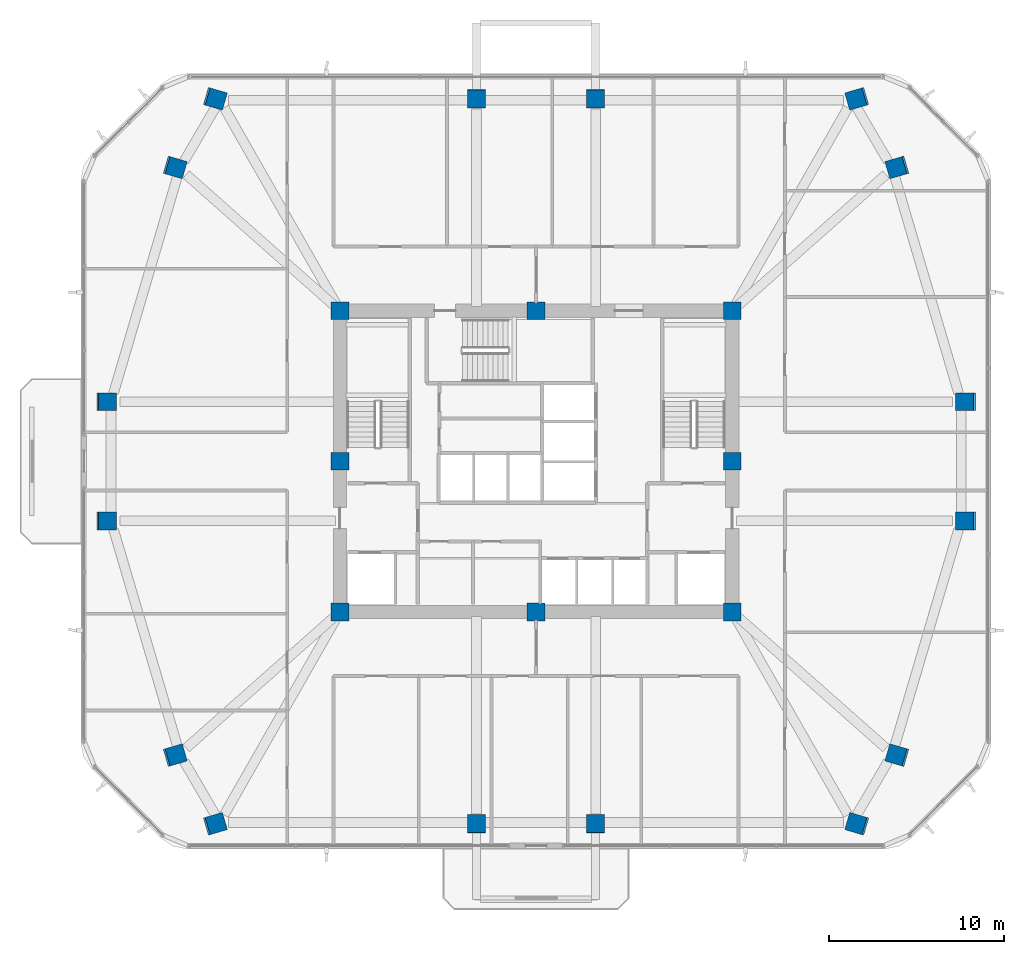
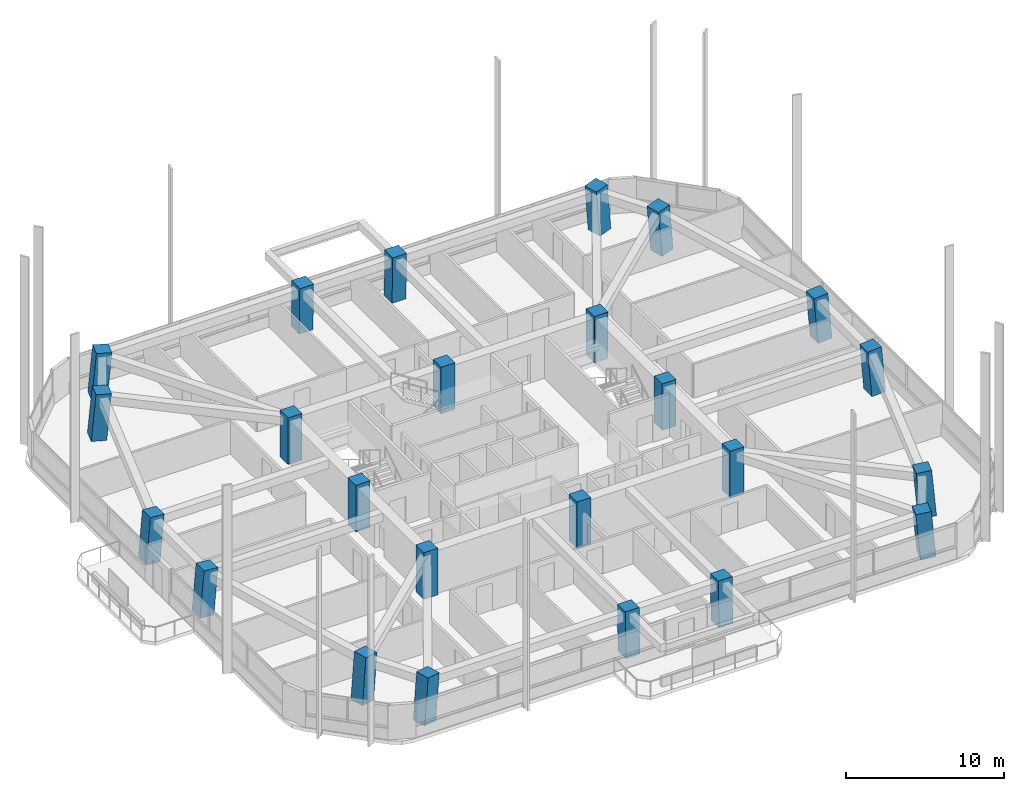
# One storey, part 1 of 15: 24 columns.
"""IFC4 building model written with IfcOpenShell, lengths in metres."""

import ifcopenshell
import ifcopenshell.guid

model = None  # the IFC model being written
_history = None  # IfcOwnerHistory: only IFC2X3 demands one
_inside = {}  # id of a spatial element -> (the spatial element, [elements in it])
_under = {}  # id of a project, library or spatial element -> (it, [spatial elements below it])
_declared = {}  # id of a project -> (the project, [libraries it declares])
_typed = {}  # id of a type object -> (the type object, [elements of that type])
_made_of = {}  # id of a material, layer set ... -> (it, [elements and type objects made of it])


def new_model(schema):
    """Start an empty IFC model of exactly this schema.

    Asked for "IFC4X3", IfcOpenShell would pick the latest addendum, in which some entities
    have other attributes; the version numbers below select the first issue.
    IFC2X3 requires an IfcOwnerHistory on every rooted entity: one is made here for all.
    """
    global model, _history
    if schema == "IFC4X3":
        model = ifcopenshell.file(schema_version=(4, 3, 0, 0))
    else:
        model = ifcopenshell.file(schema=schema)
    _inside.clear()
    _under.clear()
    _declared.clear()
    _typed.clear()
    _made_of.clear()
    _history = None
    if model.schema == "IFC2X3":
        org = make("IfcOrganization", Name="unknown")
        user = make(
            "IfcPersonAndOrganization",
            ThePerson=make("IfcPerson", FamilyName="unknown"),
            TheOrganization=org,
        )
        app = make(
            "IfcApplication",
            ApplicationDeveloper=org,
            Version="unknown",
            ApplicationFullName="unknown",
            ApplicationIdentifier="unknown",
        )
        _history = make(
            "IfcOwnerHistory",
            OwningUser=user,
            OwningApplication=app,
            ChangeAction="ADDED",
            CreationDate=0,
        )
    return model


def make(cls, **values):
    """One entity of the class cls with the attributes given. An attribute that is None is left unset."""
    return model.create_entity(
        cls, **{name: value for name, value in values.items() if value is not None}
    )


def rooted(cls, **values):
    """An entity with a GlobalId (a new one), such as an element, a storey or a relation."""
    return make(cls, GlobalId=ifcopenshell.guid.new(), OwnerHistory=_history, **values)


def si_unit(unit_type, name, prefix=None):
    """IfcSIUnit, for example si_unit("LENGTHUNIT", "METRE", prefix="MILLI")."""
    return make("IfcSIUnit", UnitType=unit_type, Prefix=prefix, Name=name)


def derived_unit(unit_type, elements):
    """IfcDerivedUnit: a product of units, each with its exponent."""
    return make(
        "IfcDerivedUnit",
        Elements=[
            make("IfcDerivedUnitElement", Unit=unit, Exponent=power)
            for unit, power in elements
        ],
        UnitType=unit_type,
    )


def assignment(units):
    """IfcUnitAssignment: the units of a project."""
    return None if units is None else make("IfcUnitAssignment", Units=units)


def point(xyz):
    """IfcCartesianPoint."""
    return None if xyz is None else make("IfcCartesianPoint", Coordinates=xyz)


def direction(xyz):
    """IfcDirection."""
    return None if xyz is None else make("IfcDirection", DirectionRatios=xyz)


def frame(location, z_axis=None, x_axis=None):
    """IfcAxis2Placement3D, a coordinate frame: its origin and axes. An axis left out is left unset."""
    return make(
        "IfcAxis2Placement3D",
        Location=point(location),
        Axis=direction(z_axis),
        RefDirection=direction(x_axis),
    )


def frame_2d(location, x_axis=None):
    """IfcAxis2Placement2D, a coordinate frame in the plane: its origin and x axis."""
    return make(
        "IfcAxis2Placement2D", Location=point(location), RefDirection=direction(x_axis)
    )


def origin():
    """The frame at (0, 0, 0) with its axes left unset."""
    return frame((0.0, 0.0, 0.0))


def origin_2d():
    """The frame at (0, 0) in the plane with its x axis left unset."""
    return frame_2d((0.0, 0.0))


def place(relative_to, where):
    """IfcLocalPlacement: puts the frame where relative to a parent placement (None: the world)."""
    return make(
        "IfcLocalPlacement", PlacementRelTo=relative_to, RelativePlacement=where
    )


def context(
    kind, dimensions, precision=None, world=None, true_north=None, identifier=None
):
    """IfcGeometricRepresentationContext, for example the 3D "Model" context."""
    return make(
        "IfcGeometricRepresentationContext",
        ContextIdentifier=identifier,
        ContextType=kind,
        CoordinateSpaceDimension=dimensions,
        Precision=precision,
        WorldCoordinateSystem=world,
        TrueNorth=true_north,
    )


def subcontext(parent, identifier, kind, view, scale=None):
    """IfcGeometricRepresentationSubContext, for example "Body" below "Model"."""
    return make(
        "IfcGeometricRepresentationSubContext",
        ContextIdentifier=identifier,
        ContextType=kind,
        ParentContext=parent,
        TargetScale=scale,
        TargetView=view,
    )


def project(units=None, contexts=None):
    """IfcProject with its units and contexts."""
    return rooted(
        "IfcProject",
        Name="project",
        RepresentationContexts=contexts,
        UnitsInContext=assignment(units),
    )


def spatial(cls, under=None, at=None, **own):
    """A site, building, storey or space (cls), placed at a placement, below another one or the project."""
    s = rooted(cls, ObjectPlacement=at, **own)
    if under is not None:
        _under.setdefault(under.id(), (under, []))[1].append(s)
    return s


def profile(cls, at=None, kind="AREA", **sizes):
    """A parametric profile (cls). Its sizes go by their IFC names, for example OverallWidth=200.0."""
    return make(cls, ProfileType=kind, Position=at, **sizes)


def rectangle(**sizes):
    """IfcRectangleProfileDef."""
    return profile("IfcRectangleProfileDef", **sizes)


def extrude(swept, where, along, depth):
    """IfcExtrudedAreaSolid: the profile swept, set in the frame where, extruded along a direction by depth."""
    return make(
        "IfcExtrudedAreaSolid",
        SweptArea=swept,
        Position=where,
        ExtrudedDirection=direction(along),
        Depth=depth,
    )


def shape(context_of_items, identifier, shape_type, items):
    """IfcShapeRepresentation: the items that make up one representation, for example the "Body"."""
    return make(
        "IfcShapeRepresentation",
        ContextOfItems=context_of_items,
        RepresentationIdentifier=identifier,
        RepresentationType=shape_type,
        Items=items,
    )


def material(Name=None, Category=None):
    """IfcMaterial."""
    return make("IfcMaterial", Name=Name, Category=Category)


def material_profile(
    of_material, cross_section, Name=None, Category=None, Priority=None
):
    """IfcMaterialProfile: a cross section and its material."""
    return make(
        "IfcMaterialProfile",
        Name=Name,
        Material=of_material,
        Profile=cross_section,
        Priority=Priority,
        Category=Category,
    )


def profile_set(profiles, Name=None, composite=None):
    """IfcMaterialProfileSet."""
    return make(
        "IfcMaterialProfileSet",
        Name=Name,
        MaterialProfiles=profiles,
        CompositeProfile=composite,
    )


def made_of(thing, what):
    """Note that an element or type object is made of a material, layer set ...; save() writes the relation."""
    if what is not None:
        _made_of.setdefault(what.id(), (what, []))[1].append(thing)
    return thing


def type_object(cls, material=None, **own):
    """A type object (cls), such as IfcWallType, which elements share."""
    return made_of(rooted(cls, **own), material)


def element(
    cls,
    number,
    at=None,
    inside=None,
    cuts=None,
    type_object=None,
    material=None,
    context=None,
    identifier="Body",
    shape_type=None,
    held_by="IfcProductDefinitionShape",
    body=None,
    shapes=None,
    **own,
):
    """One element of the class cls, such as IfcWall. Its Tag is "e" and its number.

    at: its placement. inside: the storey or other place that contains it. cuts: it is an
    opening in that element (IfcRelVoidsElement). A single representation is given by context,
    identifier, shape_type and body (its items); several are given by shapes. held_by: the class
    of the entity that holds the representations. save() writes the other relations.
    """
    e = rooted(cls, Tag="e%d" % number, ObjectPlacement=at, **own)
    if body is not None:
        shapes = [shape(context, identifier, shape_type, body)]
    if shapes is not None:
        e.Representation = make(held_by, Representations=shapes)
    if inside is not None:
        _inside.setdefault(inside.id(), (inside, []))[1].append(e)
    if cuts is not None:
        rooted(
            "IfcRelVoidsElement", RelatingBuildingElement=cuts, RelatedOpeningElement=e
        )
    if type_object is not None:
        _typed.setdefault(type_object.id(), (type_object, []))[1].append(e)
    return made_of(e, material)


def aggregate(whole, parts):
    """IfcRelAggregates: a whole, such as a stair, and the parts it consists of."""
    return rooted("IfcRelAggregates", RelatingObject=whole, RelatedObjects=parts)


def save(model, path):
    """Write the relations noted so far, then the file.

    IfcRelAggregates (storeys below a building ...), IfcRelContainedInSpatialStructure (elements
    in a storey), IfcRelDefinesByType, IfcRelAssociatesMaterial and IfcRelDeclares: one each for
    every whole, place, type object, material and project.
    """
    for whole, parts in _under.values():
        aggregate(whole, parts)
    for where, things in _inside.values():
        rooted(
            "IfcRelContainedInSpatialStructure",
            RelatedElements=things,
            RelatingStructure=where,
        )
    for kind, things in _typed.values():
        rooted("IfcRelDefinesByType", RelatedObjects=things, RelatingType=kind)
    for what, things in _made_of.values():
        rooted("IfcRelAssociatesMaterial", RelatedObjects=things, RelatingMaterial=what)
    for by, libraries in _declared.values():
        rooted("IfcRelDeclares", RelatingContext=by, RelatedDefinitions=libraries)
    model.write(path)


model = new_model("IFC4")

# Units and contexts
model_context = context("Model", 3, precision=1e-05, world=origin(), true_north=direction((0.0, 1.0)))
body_context = subcontext(model_context, "Body", "Model", "MODEL_VIEW")
ifc_project = project(units=[si_unit("LENGTHUNIT", "METRE"), si_unit("AREAUNIT", "SQUARE_METRE"), si_unit("VOLUMEUNIT", "CUBIC_METRE"), si_unit("PLANEANGLEUNIT", "RADIAN"), si_unit("MASSUNIT", "GRAM", prefix="KILO"), derived_unit("THERMALTRANSMITTANCEUNIT", [(si_unit("POWERUNIT", "WATT"), 1), (si_unit("LENGTHUNIT", "METRE"), -2), (si_unit("THERMODYNAMICTEMPERATUREUNIT", "KELVIN"), -1)])], contexts=[model_context])

# Site, building, storey
site_placement = place(None, origin())
site = spatial("IfcSite", under=ifc_project, at=site_placement, CompositionType="ELEMENT")
building_placement = place(site_placement, origin())
building = spatial("IfcBuilding", under=site, at=building_placement, Name="Koralith Skygarden Medical Center", CompositionType="ELEMENT")
storey_placement = place(building_placement, frame((0.0, 0.0, 99.179931640625)))
storey = spatial("IfcBuildingStorey", under=building, at=storey_placement, Name="L25", CompositionType="ELEMENT", Elevation=99.179931640625)

# Columns
ifc_material = material(Name="Concrete C70/85", Category="concrete")
ifc_material_profile_1 = material_profile(ifc_material, rectangle(XDim=1.02001953125, YDim=1.02001953125, at=origin_2d()), Name="RC1020X1020")
ifc_profile_set_1 = profile_set([ifc_material_profile_1], Name="Concrete C70/85")
column_type_1 = type_object("IfcColumnType", Name="Core Mega-Column C70 RC1020", PredefinedType="COLUMN", material=ifc_profile_set_1)
for number, where, z_axis, x_axis, name in (
    (1, (25.800048828125, 17.300048828125, 0.0), (0.0, 0.0, 1.0), (1.0, 0.0, 0.0), "L25 Core Column CC-01"),
    (2, (37.0, 17.300048828125, 0.0), (0.0, 0.0, 1.0), (1.0, 0.0, 0.0), "L25 Core Column CC-02"),
    (3, (48.199951171875, 17.300048828125, 0.0), (0.0, 0.0, 1.0), (1.0, 0.0, 0.0), "L25 Core Column CC-03"),
    (4, (48.199951171875, 25.89990234375, 0.0), (0.0, 0.0, 1.0), (1.0, 0.0, 0.0), "L25 Core Column CC-04"),
    (5, (48.199951171875, 34.5, 0.0), (0.0, 0.0, 1.0), (1.0, 0.0, 0.0), "L25 Core Column CC-05"),
    (6, (37.0, 34.5, 0.0), (0.0, 0.0, 1.0), (1.0, 0.0, 0.0), "L25 Core Column CC-06"),
    (7, (25.800048828125, 34.5, 0.0), (0.0, 0.0, 1.0), (1.0, 0.0, 0.0), "L25 Core Column CC-07"),
    (8, (25.800048828125, 25.89990234375, 0.0), (0.0, 0.0, 1.0), (1.0, 0.0, 0.0), "L25 Core Column CC-08"),
):
    element("IfcColumn", number, at=place(storey_placement, frame(where, z_axis=z_axis, x_axis=x_axis)), inside=storey, type_object=column_type_1, Name=name, PredefinedType="COLUMN", context=body_context, shape_type="SweptSolid", body=[
        extrude(rectangle(XDim=1.02001953125, YDim=1.02001953125, at=origin_2d()), origin(), (0.0, 0.0, 1.0), 3.60009765625),
    ])
ifc_material_profile_2 = material_profile(ifc_material, rectangle(XDim=1.02001953125, YDim=1.02001953125, at=origin_2d()), Name="RC1020X1020")
ifc_profile_set_2 = profile_set([ifc_material_profile_2], Name="Concrete C70/85")
column_type_2 = type_object("IfcColumnType", Name="Zone 2 Waist-In Mega-Column C70 RC1020", PredefinedType="COLUMN", material=ifc_profile_set_2)
column_1_placement = place(storey_placement, frame((12.427001953125, 22.5, 0.02099609375), z_axis=(0.084573087246, 0.0, 0.99641727851), x_axis=(0.0, 1.0, 0.0)))
element("IfcColumn", 9, at=column_1_placement, inside=storey, type_object=column_type_2, Name="L25 Perimeter Mega-Column MC-01", PredefinedType="COLUMN", context=body_context, shape_type="SweptSolid", body=[
    extrude(rectangle(XDim=1.02001953125, YDim=1.02001953125, at=origin_2d()), origin(), (0.0, 0.0, 1.0), 3.57080078125),
])
for number, where, z_axis, x_axis, name in (
    (10, (16.346923828125, 9.10595703125, 0.02099609375), (0.084547339264, 0.024673879931, 0.996113922738), (-0.280148995539, 0.959956530421, 0.0), "L25 Perimeter Mega-Column MC-02"),
    (11, (18.638916015625, 5.18505859375, 0.02099609375), (0.084546909741, 0.024878799633, 0.996108862214), (-0.282292283154, 0.959328445774, 0.0), "L25 Perimeter Mega-Column MC-03"),
):
    element("IfcColumn", number, at=place(storey_placement, frame(where, z_axis=z_axis, x_axis=x_axis)), inside=storey, type_object=column_type_2, Name=name, PredefinedType="COLUMN", context=body_context, shape_type="SweptSolid", body=[
        extrude(rectangle(XDim=1.02001953125, YDim=1.02001953125, at=origin_2d()), origin(), (0.0, 0.0, 1.0), 3.572021484375),
    ])
for number, where, z_axis, x_axis, name in (
    (12, (33.60009765625, 5.18505859375, 0.02099609375), (0.0, 0.024968198266, 0.999688245942), (-1.0, 0.0, 0.0), "L25 Perimeter Mega-Column MC-04"),
    (13, (40.39990234375, 5.18505859375, 0.02099609375), (0.0, 0.024968198266, 0.999688245942), (-1.0, 0.0, 0.0), "L25 Perimeter Mega-Column MC-05"),
):
    element("IfcColumn", number, at=place(storey_placement, frame(where, z_axis=z_axis, x_axis=x_axis)), inside=storey, type_object=column_type_2, Name=name, PredefinedType="COLUMN", context=body_context, shape_type="SweptSolid", body=[
        extrude(rectangle(XDim=1.02001953125, YDim=1.02001953125, at=origin_2d()), origin(), (0.0, 0.0, 1.0), 3.559326171875),
    ])
for number, where, z_axis, x_axis, name in (
    (14, (55.361083984375, 5.18505859375, 0.02099609375), (-0.084546909741, 0.024878799633, 0.996108862214), (-0.282292283154, -0.959328445774, 0.0), "L25 Perimeter Mega-Column MC-06"),
    (15, (57.653076171875, 9.10595703125, 0.02099609375), (-0.084547339264, 0.024673879931, 0.996113922738), (-0.280148995539, -0.959956530421, 0.0), "L25 Perimeter Mega-Column MC-07"),
):
    element("IfcColumn", number, at=place(storey_placement, frame(where, z_axis=z_axis, x_axis=x_axis)), inside=storey, type_object=column_type_2, Name=name, PredefinedType="COLUMN", context=body_context, shape_type="SweptSolid", body=[
        extrude(rectangle(XDim=1.02001953125, YDim=1.02001953125, at=origin_2d()), origin(), (0.0, 0.0, 1.0), 3.572021484375),
    ])
for number, where, z_axis, x_axis, name in (
    (16, (61.572998046875, 22.5, 0.02099609375), (-0.084573087246, 0.0, 0.99641727851), (0.0, -1.0, 0.0), "L25 Perimeter Mega-Column MC-08"),
    (17, (61.572998046875, 29.300048828125, 0.02099609375), (-0.084573087246, 0.0, 0.99641727851), (0.0, -1.0, 0.0), "L25 Perimeter Mega-Column MC-09"),
):
    element("IfcColumn", number, at=place(storey_placement, frame(where, z_axis=z_axis, x_axis=x_axis)), inside=storey, type_object=column_type_2, Name=name, PredefinedType="COLUMN", context=body_context, shape_type="SweptSolid", body=[
        extrude(rectangle(XDim=1.02001953125, YDim=1.02001953125, at=origin_2d()), origin(), (0.0, 0.0, 1.0), 3.57080078125),
    ])
for number, where, z_axis, x_axis, name in (
    (18, (57.653076171875, 42.694091796875, 0.02099609375), (-0.084547339264, -0.024673879931, 0.996113922738), (0.280148995539, -0.959956530421, 0.0), "L25 Perimeter Mega-Column MC-10"),
    (19, (55.361083984375, 46.614013671875, 0.02099609375), (-0.084547339264, -0.024673879931, 0.996113922738), (0.280148995539, -0.959956530421, 0.0), "L25 Perimeter Mega-Column MC-11"),
):
    element("IfcColumn", number, at=place(storey_placement, frame(where, z_axis=z_axis, x_axis=x_axis)), inside=storey, type_object=column_type_2, Name=name, PredefinedType="COLUMN", context=body_context, shape_type="SweptSolid", body=[
        extrude(rectangle(XDim=1.02001953125, YDim=1.02001953125, at=origin_2d()), origin(), (0.0, 0.0, 1.0), 3.572021484375),
    ])
for number, where, z_axis, x_axis, name in (
    (20, (40.39990234375, 46.614013671875, 0.02099609375), (0.0, -0.024762543118, 0.999693361215), (1.0, 0.0, 0.0), "L25 Perimeter Mega-Column MC-12"),
    (21, (33.60009765625, 46.614013671875, 0.02099609375), (0.0, -0.024762543118, 0.999693361215), (1.0, 0.0, 0.0), "L25 Perimeter Mega-Column MC-13"),
):
    element("IfcColumn", number, at=place(storey_placement, frame(where, z_axis=z_axis, x_axis=x_axis)), inside=storey, type_object=column_type_2, Name=name, PredefinedType="COLUMN", context=body_context, shape_type="SweptSolid", body=[
        extrude(rectangle(XDim=1.02001953125, YDim=1.02001953125, at=origin_2d()), origin(), (0.0, 0.0, 1.0), 3.55908203125),
    ])
for number, where, z_axis, x_axis, name in (
    (22, (18.638916015625, 46.614013671875, 0.02099609375), (0.084547339264, -0.024673879931, 0.996113922738), (0.280148995539, 0.959956530421, 0.0), "L25 Perimeter Mega-Column MC-14"),
    (23, (16.346923828125, 42.694091796875, 0.02099609375), (0.084547339264, -0.024673879931, 0.996113922738), (0.280148995539, 0.959956530421, 0.0), "L25 Perimeter Mega-Column MC-15"),
):
    element("IfcColumn", number, at=place(storey_placement, frame(where, z_axis=z_axis, x_axis=x_axis)), inside=storey, type_object=column_type_2, Name=name, PredefinedType="COLUMN", context=body_context, shape_type="SweptSolid", body=[
        extrude(rectangle(XDim=1.02001953125, YDim=1.02001953125, at=origin_2d()), origin(), (0.0, 0.0, 1.0), 3.572021484375),
    ])
column_2_placement = place(storey_placement, frame((12.427001953125, 29.300048828125, 0.02099609375), z_axis=(0.084573087246, 0.0, 0.99641727851), x_axis=(0.0, 1.0, 0.0)))
element("IfcColumn", 24, at=column_2_placement, inside=storey, type_object=column_type_2, Name="L25 Perimeter Mega-Column MC-16", PredefinedType="COLUMN", context=body_context, shape_type="SweptSolid", body=[
    extrude(rectangle(XDim=1.02001953125, YDim=1.02001953125, at=origin_2d()), origin(), (0.0, 0.0, 1.0), 3.57080078125),
])

save(model, "model.ifc")
